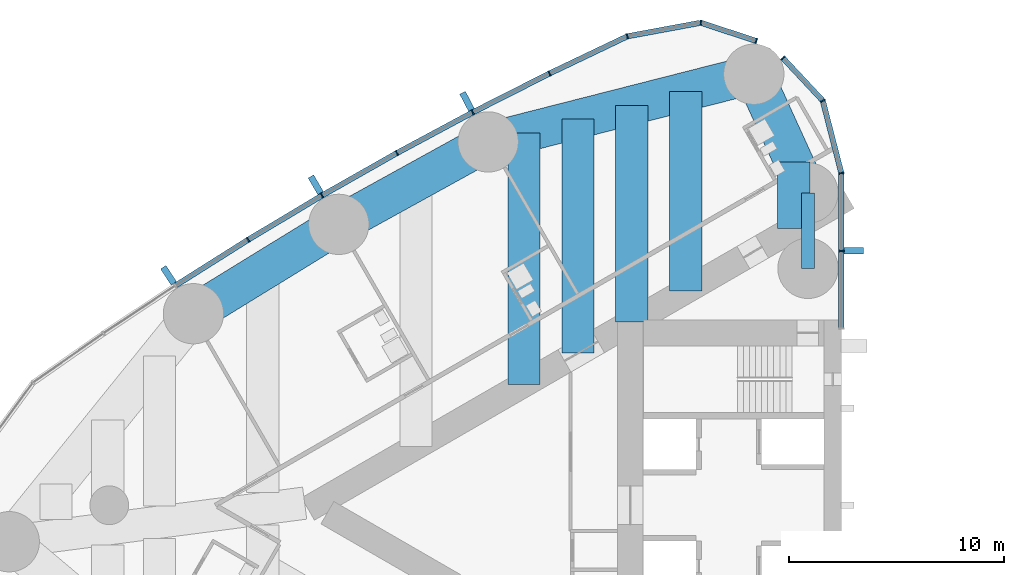
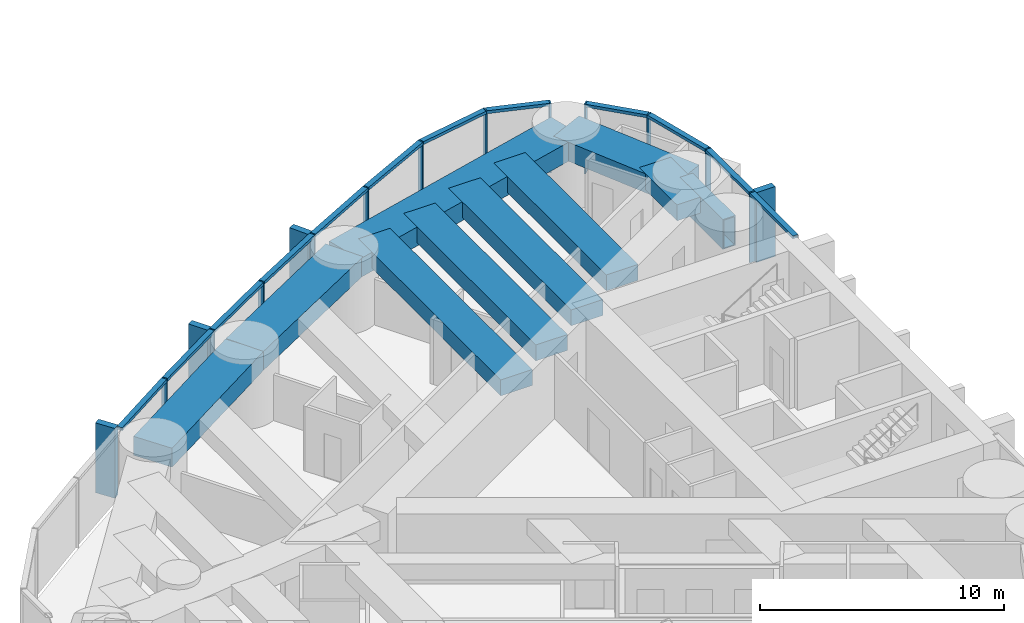
# One storey, part 5 of 19: 28 members, 10 beams, 2 elements without a shape of their own.
"""IFC4 building model written with IfcOpenShell, lengths in metres."""

from ifc_helpers import new_model, si_unit, direction, frame, origin, origin_2d, place, context, subcontext, project, spatial, rectangle, hollow_rectangle, extrude, material, material_profile, profile_set, type_object, element, aggregate, save


model = new_model("IFC4")

# Units and contexts
model_context = context("Model", 3, precision=1e-05, world=origin(), true_north=direction((0.0, 1.0)))
body_context = subcontext(model_context, "Body", "Model", "MODEL_VIEW")
ifc_project = project(units=[si_unit("LENGTHUNIT", "METRE"), si_unit("AREAUNIT", "SQUARE_METRE"), si_unit("VOLUMEUNIT", "CUBIC_METRE"), si_unit("PLANEANGLEUNIT", "RADIAN"), si_unit("MASSUNIT", "GRAM", prefix="KILO")], contexts=[model_context])

# Site, building, storey
site_placement = place(None, origin())
site = spatial("IfcSite", under=ifc_project, at=site_placement, CompositionType="ELEMENT")
building_placement = place(site_placement, origin())
building = spatial("IfcBuilding", under=site, at=building_placement, Name="Lancet Gate Hotel", CompositionType="ELEMENT")
storey_placement = place(building_placement, frame((0.0, 0.0, 194.800048828125)))
storey = spatial("IfcBuildingStorey", under=building, at=storey_placement, Name="L52", CompositionType="ELEMENT", Elevation=194.800048828125)

# Curtain wall, members
ifc_material_1 = material(Name="Aluminium curtain wall", Category="aluminium")
curtain_wall_type = type_object("IfcCurtainWallType", Name="Tower unitised curtain wall", PredefinedType="USERDEFINED", material=ifc_material_1)
curtain_wall_1_placement = place(storey_placement, origin())
curtain_wall_1 = element("IfcCurtainWall", 1, at=curtain_wall_1_placement, inside=storey, type_object=curtain_wall_type, Name="T1 L52 curtain wall 1", ObjectType="UNITISED CURTAIN WALL", PredefinedType="USERDEFINED")
ifc_material_2 = material(Name="Aluminium mullion", Category="aluminium")
ifc_material_profile_1 = material_profile(ifc_material_2, rectangle(XDim=0.06494140625, YDim=0.25, at=origin_2d()), Name="MULLION 65x250")
ifc_profile_set_1 = profile_set([ifc_material_profile_1], Name="Aluminium mullion")
member_type_1 = type_object("IfcMemberType", Name="Aluminium mullion 65x250", PredefinedType="MULLION", material=ifc_profile_set_1)
member_1_placement = place(storey_placement, frame((-27.5, 11.811767578125, 0.0), z_axis=(0.0, 0.0, 1.0), x_axis=(0.0, 1.0, 0.0)))
member_1 = element("IfcMember", 2, at=member_1_placement, type_object=member_type_1, Name="T1 L52 curtain wall 1 mullion 2", PredefinedType="MULLION", context=body_context, shape_type="SweptSolid", body=[
    extrude(rectangle(XDim=0.06494140625, YDim=0.25, at=origin_2d()), origin(), (0.0, 0.0, 1.0), 3.5),
])
member_2_placement = place(storey_placement, frame((-27.5, 15.42333984375, 0.0), z_axis=(0.0, 0.0, 1.0), x_axis=(-0.122467472845, 0.992472527627, 0.0)))
member_2 = element("IfcMember", 3, at=member_2_placement, type_object=member_type_1, Name="T1 L52 curtain wall 1 mullion 3", PredefinedType="MULLION", context=body_context, shape_type="SweptSolid", body=[
    extrude(rectangle(XDim=0.06494140625, YDim=0.25, at=origin_2d()), origin(), (0.0, 0.0, 1.0), 3.5),
])
member_3_placement = place(storey_placement, frame((-28.360595703125, 18.7861328125, 0.0), z_axis=(0.0, 0.0, 1.0), x_axis=(-0.452507601198, 0.891760545695, 0.0)))
member_3 = element("IfcMember", 4, at=member_3_placement, type_object=member_type_1, Name="T1 L52 curtain wall 1 mullion 4", PredefinedType="MULLION", context=body_context, shape_type="SweptSolid", body=[
    extrude(rectangle(XDim=0.06494140625, YDim=0.25, at=origin_2d()), origin(), (0.0, 0.0, 1.0), 3.5),
])
member_4_placement = place(storey_placement, frame((-30.210693359375, 20.765625, 0.0), z_axis=(0.0, 0.0, 1.0), x_axis=(-0.682844962172, 0.730563315282, 0.0)))
member_4 = element("IfcMember", 5, at=member_4_placement, type_object=member_type_1, Name="T1 L52 curtain wall 1 mullion 5", PredefinedType="MULLION", context=body_context, shape_type="SweptSolid", body=[
    extrude(rectangle(XDim=0.06494140625, YDim=0.25, at=origin_2d()), origin(), (0.0, 0.0, 1.0), 3.5),
])

curtain_wall_2_placement = place(storey_placement, origin())
curtain_wall_2 = element("IfcCurtainWall", 6, at=curtain_wall_2_placement, inside=storey, type_object=curtain_wall_type, Name="T1 L52 curtain wall 2", ObjectType="UNITISED CURTAIN WALL", PredefinedType="USERDEFINED")
member_5_placement = place(storey_placement, frame((-31.45263671875, 21.5595703125, 0.0), z_axis=(0.0, 0.0, 1.0), x_axis=(-0.949848055084, 0.312711803827, 0.0)))
member_5 = element("IfcMember", 7, at=member_5_placement, type_object=member_type_1, Name="T1 L52 curtain wall 2 mullion 1", PredefinedType="MULLION", context=body_context, shape_type="SweptSolid", body=[
    extrude(rectangle(XDim=0.06494140625, YDim=0.25, at=origin_2d()), origin(), (0.0, 0.0, 1.0), 3.5),
])
member_6_placement = place(storey_placement, frame((-34.02783203125, 22.407470703125, 0.0), z_axis=(0.0, 0.0, 1.0), x_axis=(-0.999350473622, 0.036036521361, 0.0)))
member_6 = element("IfcMember", 8, at=member_6_placement, type_object=member_type_1, Name="T1 L52 curtain wall 2 mullion 2", PredefinedType="MULLION", context=body_context, shape_type="SweptSolid", body=[
    extrude(rectangle(XDim=0.06494140625, YDim=0.25, at=origin_2d()), origin(), (0.0, 0.0, 1.0), 3.5),
])
member_7_placement = place(storey_placement, frame((-37.44091796875, 21.775634765625, 0.0), z_axis=(0.0, 0.0, 1.0), x_axis=(-0.948119321052, -0.317914694609, 0.0)))
member_7 = element("IfcMember", 9, at=member_7_placement, type_object=member_type_1, Name="T1 L52 curtain wall 2 mullion 3", PredefinedType="MULLION", context=body_context, shape_type="SweptSolid", body=[
    extrude(rectangle(XDim=0.06494140625, YDim=0.25, at=origin_2d()), origin(), (0.0, 0.0, 1.0), 3.5),
])
member_8_placement = place(storey_placement, frame((-41.0498046875, 20.052978515625, 0.0), z_axis=(0.0, 0.0, 1.0), x_axis=(-0.897324392142, -0.441371652088, 0.0)))
member_8 = element("IfcMember", 10, at=member_8_placement, type_object=member_type_1, Name="T1 L52 curtain wall 2 mullion 4", PredefinedType="MULLION", context=body_context, shape_type="SweptSolid", body=[
    extrude(rectangle(XDim=0.06494140625, YDim=0.25, at=origin_2d()), origin(), (0.0, 0.0, 1.0), 3.5),
])
member_9_placement = place(storey_placement, frame((-44.6171875, 18.245849609375, 0.0), z_axis=(0.0, 0.0, 1.0), x_axis=(-0.886694440064, -0.462355891019, 0.0)))
member_9 = element("IfcMember", 11, at=member_9_placement, type_object=member_type_1, Name="T1 L52 curtain wall 2 mullion 5", PredefinedType="MULLION", context=body_context, shape_type="SweptSolid", body=[
    extrude(rectangle(XDim=0.06494140625, YDim=0.25, at=origin_2d()), origin(), (0.0, 0.0, 1.0), 3.5),
])
member_10_placement = place(storey_placement, frame((-48.140869140625, 16.355224609375, 0.0), z_axis=(0.0, 0.0, 1.0), x_axis=(-0.87557384965, -0.483084292654, 0.0)))
member_10 = element("IfcMember", 12, at=member_10_placement, type_object=member_type_1, Name="T1 L52 curtain wall 2 mullion 6", PredefinedType="MULLION", context=body_context, shape_type="SweptSolid", body=[
    extrude(rectangle(XDim=0.06494140625, YDim=0.25, at=origin_2d()), origin(), (0.0, 0.0, 1.0), 3.5),
])
member_11_placement = place(storey_placement, frame((-51.619384765625, 14.38232421875, 0.0), z_axis=(0.0, 0.0, 1.0), x_axis=(-0.863968774311, -0.503545387245, 0.0)))
member_11 = element("IfcMember", 13, at=member_11_placement, type_object=member_type_1, Name="T1 L52 curtain wall 2 mullion 7", PredefinedType="MULLION", context=body_context, shape_type="SweptSolid", body=[
    extrude(rectangle(XDim=0.06494140625, YDim=0.25, at=origin_2d()), origin(), (0.0, 0.0, 1.0), 3.5),
])
member_12_placement = place(storey_placement, frame((-55.05029296875, 12.328369140625, 0.0), z_axis=(0.0, 0.0, 1.0), x_axis=(-0.851885635531, -0.52372785297, 0.0)))
member_12 = element("IfcMember", 14, at=member_12_placement, type_object=member_type_1, Name="T1 L52 curtain wall 2 mullion 8", PredefinedType="MULLION", context=body_context, shape_type="SweptSolid", body=[
    extrude(rectangle(XDim=0.06494140625, YDim=0.25, at=origin_2d()), origin(), (0.0, 0.0, 1.0), 3.5),
])

# Member
ifc_material_3 = material(Name="Aluminium transom", Category="aluminium")
ifc_material_profile_2 = material_profile(ifc_material_3, rectangle(XDim=0.25, YDim=0.14990234375, at=origin_2d()), Name="TRANSOM 250x150")
ifc_profile_set_2 = profile_set([ifc_material_profile_2], Name="Aluminium transom")
member_type_2 = type_object("IfcMemberType", Name="Aluminium transom 250x150", PredefinedType="USERDEFINED", material=ifc_profile_set_2)
member_13_placement = place(storey_placement, frame((-27.5, 8.232421875, 3.425048828125), z_axis=(0.0, 1.0, 0.0), x_axis=(-1.0, 0.0, 0.0)))
member_13 = element("IfcMember", 15, at=member_13_placement, type_object=member_type_2, Name="T1 L52 curtain wall 1 transom 1", ObjectType="TRANSOM", PredefinedType="USERDEFINED", context=body_context, shape_type="SweptSolid", body=[
    extrude(rectangle(XDim=0.25, YDim=0.14990234375, at=origin_2d()), origin(), (0.0, 0.0, 1.0), 3.546875),
])

member_14_placement = place(storey_placement, frame((-27.5, 11.84423828125, 3.425048828125), z_axis=(0.0, 1.0, 0.0), x_axis=(-1.0, 0.0, 0.0)))
member_14 = element("IfcMember", 16, at=member_14_placement, type_object=member_type_2, Name="T1 L52 curtain wall 1 transom 2", ObjectType="TRANSOM", PredefinedType="USERDEFINED", context=body_context, shape_type="SweptSolid", body=[
    extrude(rectangle(XDim=0.25, YDim=0.14990234375, at=origin_2d()), origin(), (0.0, 0.0, 1.0), 3.546630859375),
])

member_15_placement = place(storey_placement, frame((-27.508056640625, 15.454833984375, 3.425048828125), z_axis=(-0.247928683912, 0.968778286139, 0.0), x_axis=(-0.968778286139, -0.247928683912, 0.0)))
member_15 = element("IfcMember", 17, at=member_15_placement, type_object=member_type_2, Name="T1 L52 curtain wall 1 transom 3", ObjectType="TRANSOM", PredefinedType="USERDEFINED", context=body_context, shape_type="SweptSolid", body=[
    extrude(rectangle(XDim=0.25, YDim=0.14990234375, at=origin_2d()), origin(), (0.0, 0.0, 1.0), 3.40625),
])

member_16_placement = place(storey_placement, frame((-28.3828125, 18.809814453125, 3.425048828125), z_axis=(-0.682841037959, 0.730566983157, 0.0), x_axis=(-0.730566983157, -0.682841037959, 0.0)))
member_16 = element("IfcMember", 18, at=member_16_placement, type_object=member_type_2, Name="T1 L52 curtain wall 1 transom 4", ObjectType="TRANSOM", PredefinedType="USERDEFINED", context=body_context, shape_type="SweptSolid", body=[
    extrude(rectangle(XDim=0.25, YDim=0.14990234375, at=origin_2d()), origin(), (0.0, 0.0, 1.0), 2.644775390625),
])

member_17_placement = place(storey_placement, frame((-31.483642578125, 21.56982421875, 3.425048828125), z_axis=(-0.949857661259, 0.312682623993, 0.0), x_axis=(-0.312682623993, -0.949857661259, 0.0)))
member_17 = element("IfcMember", 19, at=member_17_placement, type_object=member_type_2, Name="T1 L52 curtain wall 2 transom 1", ObjectType="TRANSOM", PredefinedType="USERDEFINED", context=body_context, shape_type="SweptSolid", body=[
    extrude(rectangle(XDim=0.25, YDim=0.14990234375, at=origin_2d()), origin(), (0.0, 0.0, 1.0), 2.64599609375),
])

member_18_placement = place(storey_placement, frame((-34.059814453125, 22.401611328125, 3.425048828125), z_axis=(-0.983286757871, -0.182063592724, 0.0), x_axis=(0.182063592724, -0.983286757871, 0.0)))
member_18 = element("IfcMember", 20, at=member_18_placement, type_object=member_type_2, Name="T1 L52 curtain wall 2 transom 2", ObjectType="TRANSOM", PredefinedType="USERDEFINED", context=body_context, shape_type="SweptSolid", body=[
    extrude(rectangle(XDim=0.25, YDim=0.14990234375, at=origin_2d()), origin(), (0.0, 0.0, 1.0), 3.406005859375),
])

member_19_placement = place(storey_placement, frame((-37.47021484375, 21.761474609375, 3.425048828125), z_axis=(-0.902468975385, -0.430754858902, 0.0), x_axis=(0.430754858902, -0.902468975385, 0.0)))
member_19 = element("IfcMember", 21, at=member_19_placement, type_object=member_type_2, Name="T1 L52 curtain wall 2 transom 3", ObjectType="TRANSOM", PredefinedType="USERDEFINED", context=body_context, shape_type="SweptSolid", body=[
    extrude(rectangle(XDim=0.25, YDim=0.14990234375, at=origin_2d()), origin(), (0.0, 0.0, 1.0), 3.93408203125),
])

member_20_placement = place(storey_placement, frame((-41.078857421875, 20.0380859375, 3.425048828125), z_axis=(-0.892081477453, -0.451874581699, 0.0), x_axis=(0.451874581699, -0.892081477453, 0.0)))
member_20 = element("IfcMember", 22, at=member_20_placement, type_object=member_type_2, Name="T1 L52 curtain wall 2 transom 4", ObjectType="TRANSOM", PredefinedType="USERDEFINED", context=body_context, shape_type="SweptSolid", body=[
    extrude(rectangle(XDim=0.25, YDim=0.14990234375, at=origin_2d()), origin(), (0.0, 0.0, 1.0), 3.933837890625),
])

member_21_placement = place(storey_placement, frame((-44.645751953125, 18.23046875, 3.425048828125), z_axis=(-0.881185491994, -0.472770693571, 0.0), x_axis=(0.472770693571, -0.881185491994, 0.0)))
member_21 = element("IfcMember", 23, at=member_21_placement, type_object=member_type_2, Name="T1 L52 curtain wall 2 transom 5", ObjectType="TRANSOM", PredefinedType="USERDEFINED", context=body_context, shape_type="SweptSolid", body=[
    extrude(rectangle(XDim=0.25, YDim=0.14990234375, at=origin_2d()), origin(), (0.0, 0.0, 1.0), 3.93408203125),
])

member_22_placement = place(storey_placement, frame((-48.169189453125, 16.33935546875, 3.425048828125), z_axis=(-0.869819807367, -0.493369539709, 0.0), x_axis=(0.493369539709, -0.869819807367, 0.0)))
member_22 = element("IfcMember", 24, at=member_22_placement, type_object=member_type_2, Name="T1 L52 curtain wall 2 transom 6", ObjectType="TRANSOM", PredefinedType="USERDEFINED", context=body_context, shape_type="SweptSolid", body=[
    extrude(rectangle(XDim=0.25, YDim=0.14990234375, at=origin_2d()), origin(), (0.0, 0.0, 1.0), 3.93408203125),
])

member_23_placement = place(storey_placement, frame((-51.647216796875, 14.36572265625, 3.425048828125), z_axis=(-0.857985365092, -0.513674131419, 0.0), x_axis=(0.513674131419, -0.857985365092, 0.0)))
member_23 = element("IfcMember", 25, at=member_23_placement, type_object=member_type_2, Name="T1 L52 curtain wall 2 transom 7", ObjectType="TRANSOM", PredefinedType="USERDEFINED", context=body_context, shape_type="SweptSolid", body=[
    extrude(rectangle(XDim=0.25, YDim=0.14990234375, at=origin_2d()), origin(), (0.0, 0.0, 1.0), 3.933837890625),
])

member_24_placement = place(storey_placement, frame((-55.077880859375, 12.31103515625, 3.425048828125), z_axis=(-0.845671711095, -0.53370343549, 0.0), x_axis=(0.53370343549, -0.845671711095, 0.0)))
member_24 = element("IfcMember", 26, at=member_24_placement, type_object=member_type_2, Name="T1 L52 curtain wall 2 transom 8", ObjectType="TRANSOM", PredefinedType="USERDEFINED", context=body_context, shape_type="SweptSolid", body=[
    extrude(rectangle(XDim=0.25, YDim=0.14990234375, at=origin_2d()), origin(), (0.0, 0.0, 1.0), 3.93408203125),
])

# Beams
ifc_material_4 = material(Name="Concrete C50/60", Category="concrete")
ifc_material_profile_3 = material_profile(ifc_material_4, rectangle(XDim=1.800048828125, YDim=0.949951171875, at=origin_2d()), Name="RC 1800x950")
ifc_profile_set_3 = profile_set([ifc_material_profile_3], Name="Concrete C50/60")
beam_type_1 = type_object("IfcBeamType", Name="Edge beam RC 1800x950", PredefinedType="SPANDREL", material=ifc_profile_set_3)
beam_1_placement = place(storey_placement, frame((-31.5654296875, 20.015869140625, 2.77490234375), z_axis=(-0.969008414312, -0.247027717052, 0.0), x_axis=(0.247027717052, -0.969008414312, 0.0)))
element("IfcBeam", 27, at=beam_1_placement, inside=storey, type_object=beam_type_1, Name="T1 edge beam EB1 L52", PredefinedType="SPANDREL", context=body_context, shape_type="SweptSolid", body=[
    extrude(rectangle(XDim=1.800048828125, YDim=0.949951171875, at=origin_2d()), origin(), (0.0, 0.0, 1.0), 12.7294921875),
])
beam_2_placement = place(storey_placement, frame((-43.900390625, 16.871337890625, 2.77490234375), z_axis=(-0.875577684027, -0.483077342911, 0.0), x_axis=(0.483077342911, -0.875577684027, 0.0)))
element("IfcBeam", 28, at=beam_2_placement, inside=storey, type_object=beam_type_1, Name="T1 edge beam EB1 L52", PredefinedType="SPANDREL", context=body_context, shape_type="SweptSolid", body=[
    extrude(rectangle(XDim=1.800048828125, YDim=0.949951171875, at=origin_2d()), origin(), (0.0, 0.0, 1.0), 7.924560546875),
])
beam_3_placement = place(storey_placement, frame((-50.8388671875, 13.043212890625, 2.77490234375), z_axis=(-0.851892008043, -0.523717487423, 0.0), x_axis=(0.523717487423, -0.851892008043, 0.0)))
element("IfcBeam", 29, at=beam_3_placement, inside=storey, type_object=beam_type_1, Name="T1 edge beam EB1 L52", PredefinedType="SPANDREL", context=body_context, shape_type="SweptSolid", body=[
    extrude(rectangle(XDim=1.800048828125, YDim=0.949951171875, at=origin_2d()), origin(), (0.0, 0.0, 1.0), 7.92431640625),
])
beam_4_placement = place(storey_placement, frame((-31.5654296875, 20.015869140625, 2.77490234375), z_axis=(0.414919206993, -0.909858259109, 0.0), x_axis=(0.909858259109, 0.414919206993, 0.0)))
element("IfcBeam", 30, at=beam_4_placement, inside=storey, type_object=beam_type_1, Name="T1 edge beam EB1 L52", PredefinedType="SPANDREL", context=body_context, shape_type="SweptSolid", body=[
    extrude(rectangle(XDim=1.800048828125, YDim=0.949951171875, at=origin_2d()), origin(), (0.0, 0.0, 1.0), 6.062255859375),
])

# Member
ifc_material_5 = material(Name="Precast concrete C50/60", Category="concrete")
ifc_material_profile_4 = material_profile(ifc_material_5, rectangle(XDim=0.300048828125, YDim=0.89990234375, at=origin_2d()), Name="FIN 300x900")
ifc_profile_set_4 = profile_set([ifc_material_profile_4], Name="Precast concrete C50/60")
member_type_3 = type_object("IfcMemberType", Name="Exposed concrete fin 300x900", PredefinedType="USERDEFINED", material=ifc_profile_set_4)
member_25_placement = place(storey_placement, frame((-26.925048828125, 11.811767578125, 0.0), z_axis=(0.0, 0.0, 1.0), x_axis=(0.0, 1.0, 0.0)))
member_25 = element("IfcMember", 31, at=member_25_placement, type_object=member_type_3, Name="T1 L52 curtain wall 1 fin 2", ObjectType="FIN", PredefinedType="USERDEFINED", context=body_context, shape_type="SweptSolid", body=[
    extrude(rectangle(XDim=0.300048828125, YDim=0.89990234375, at=origin_2d()), origin(), (0.0, 0.0, 1.0), 3.5),
])

aggregate(curtain_wall_1, [member_1, member_25, member_2, member_3, member_4, member_13, member_14, member_15, member_16])

member_26_placement = place(storey_placement, frame((-44.883056640625, 18.755615234375, 0.0), z_axis=(0.0, 0.0, 1.0), x_axis=(-0.886694440064, -0.462355891019, 0.0)))
member_26 = element("IfcMember", 32, at=member_26_placement, type_object=member_type_3, Name="T1 L52 curtain wall 2 fin 5", ObjectType="FIN", PredefinedType="USERDEFINED", context=body_context, shape_type="SweptSolid", body=[
    extrude(rectangle(XDim=0.300048828125, YDim=0.89990234375, at=origin_2d()), origin(), (0.0, 0.0, 1.0), 3.5),
])

member_27_placement = place(storey_placement, frame((-51.908935546875, 14.879150390625, 0.0), z_axis=(0.0, 0.0, 1.0), x_axis=(-0.863968774311, -0.503545387245, 0.0)))
member_27 = element("IfcMember", 33, at=member_27_placement, type_object=member_type_3, Name="T1 L52 curtain wall 2 fin 7", ObjectType="FIN", PredefinedType="USERDEFINED", context=body_context, shape_type="SweptSolid", body=[
    extrude(rectangle(XDim=0.300048828125, YDim=0.89990234375, at=origin_2d()), origin(), (0.0, 0.0, 1.0), 3.5),
])

member_28_placement = place(storey_placement, frame((-58.74462890625, 10.6767578125, 0.0), z_axis=(0.0, 0.0, 1.0), x_axis=(-0.839331119324, -0.54362052218, 0.0)))
member_28 = element("IfcMember", 34, at=member_28_placement, type_object=member_type_3, Name="T1 L52 curtain wall 2 fin 9", ObjectType="FIN", PredefinedType="USERDEFINED", context=body_context, shape_type="SweptSolid", body=[
    extrude(rectangle(XDim=0.300048828125, YDim=0.89990234375, at=origin_2d()), origin(), (0.0, 0.0, 1.0), 3.5),
])

aggregate(curtain_wall_2, [member_5, member_6, member_7, member_8, member_9, member_26, member_10, member_11, member_27, member_12, member_28, member_17, member_18, member_19, member_20, member_21, member_22, member_23, member_24])

# Beams
ifc_material_6 = material(Name="Concrete C50/60", Category="concrete")
ifc_material_profile_5 = material_profile(ifc_material_6, rectangle(XDim=1.5, YDim=0.800048828125, at=origin_2d()), Name="RC 1500x800")
ifc_profile_set_5 = profile_set([ifc_material_profile_5], Name="Concrete C50/60")
beam_type_2 = type_object("IfcBeamType", Name="Floor beam RC 1500x800", PredefinedType="BEAM", material=ifc_profile_set_5)
beam_5_placement = place(storey_placement, frame((-29.706787109375, 15.940185546875, 2.849853515625), z_axis=(0.0, -1.0, 0.0), x_axis=(1.0, 0.0, 0.0)))
element("IfcBeam", 35, at=beam_5_placement, inside=storey, type_object=beam_type_2, Name="T1 floor beam F01S L52", PredefinedType="BEAM", context=body_context, shape_type="SweptSolid", body=[
    extrude(rectangle(XDim=1.5, YDim=0.800048828125, at=origin_2d()), origin(), (0.0, 0.0, 1.0), 3.087646484375),
])
beam_6_placement = place(storey_placement, frame((-34.720458984375, 19.211669921875, 2.849853515625), z_axis=(0.0, -1.0, 0.0), x_axis=(1.0, 0.0, 0.0)))
element("IfcBeam", 36, at=beam_6_placement, inside=storey, type_object=beam_type_2, Name="T1 floor beam F03S L52", PredefinedType="BEAM", context=body_context, shape_type="SweptSolid", body=[
    extrude(rectangle(XDim=1.5, YDim=0.800048828125, at=origin_2d()), origin(), (0.0, 0.0, 1.0), 9.253662109375),
])
beam_7_placement = place(storey_placement, frame((-37.227294921875, 18.572509765625, 2.849853515625), z_axis=(0.0, -1.0, 0.0), x_axis=(1.0, 0.0, 0.0)))
element("IfcBeam", 37, at=beam_7_placement, inside=storey, type_object=beam_type_2, Name="T1 floor beam F04S L52", PredefinedType="BEAM", context=body_context, shape_type="SweptSolid", body=[
    extrude(rectangle(XDim=1.5, YDim=0.800048828125, at=origin_2d()), origin(), (0.0, 0.0, 1.0), 10.061767578125),
])
beam_8_placement = place(storey_placement, frame((-39.734130859375, 17.93359375, 2.849853515625), z_axis=(0.0, -1.0, 0.0), x_axis=(1.0, 0.0, 0.0)))
element("IfcBeam", 38, at=beam_8_placement, inside=storey, type_object=beam_type_2, Name="T1 floor beam F06S L52", PredefinedType="BEAM", context=body_context, shape_type="SweptSolid", body=[
    extrude(rectangle(XDim=1.5, YDim=0.800048828125, at=origin_2d()), origin(), (0.0, 0.0, 1.0), 10.8701171875),
])
beam_9_placement = place(storey_placement, frame((-42.240966796875, 17.29443359375, 2.849853515625), z_axis=(0.0, -1.0, 0.0), x_axis=(1.0, 0.0, 0.0)))
element("IfcBeam", 39, at=beam_9_placement, inside=storey, type_object=beam_type_2, Name="T1 floor beam F07S L52", PredefinedType="BEAM", context=body_context, shape_type="SweptSolid", body=[
    extrude(rectangle(XDim=1.5, YDim=0.800048828125, at=origin_2d()), origin(), (0.0, 0.0, 1.0), 11.678466796875),
])
ifc_material_7 = material(Name="Steel S460QL", Category="steel")
ifc_material_profile_6 = material_profile(ifc_material_7, hollow_rectangle(XDim=0.60009765625, YDim=1.5, WallThickness=0.050048828125, at=origin_2d()), Name="BOX 1500x600x50")
ifc_profile_set_6 = profile_set([ifc_material_profile_6], Name="Steel S460QL")
beam_type_3 = type_object("IfcBeamType", Name="Inner-face link beam BOX 1500x600x50", PredefinedType="BEAM", material=ifc_profile_set_6)
beam_10_placement = place(storey_placement, frame((-29.050048828125, 14.5, 2.5), z_axis=(0.0, -1.0, 0.0), x_axis=(1.0, 0.0, 0.0)))
element("IfcBeam", 40, at=beam_10_placement, inside=storey, type_object=beam_type_3, Name="T1 inner-face link beam LK1 L52", PredefinedType="BEAM", context=body_context, shape_type="SweptSolid", body=[
    extrude(hollow_rectangle(XDim=0.60009765625, YDim=1.5, WallThickness=0.050048828125, at=origin_2d()), origin(), (0.0, 0.0, 1.0), 3.5),
])

save(model, "model.ifc")
